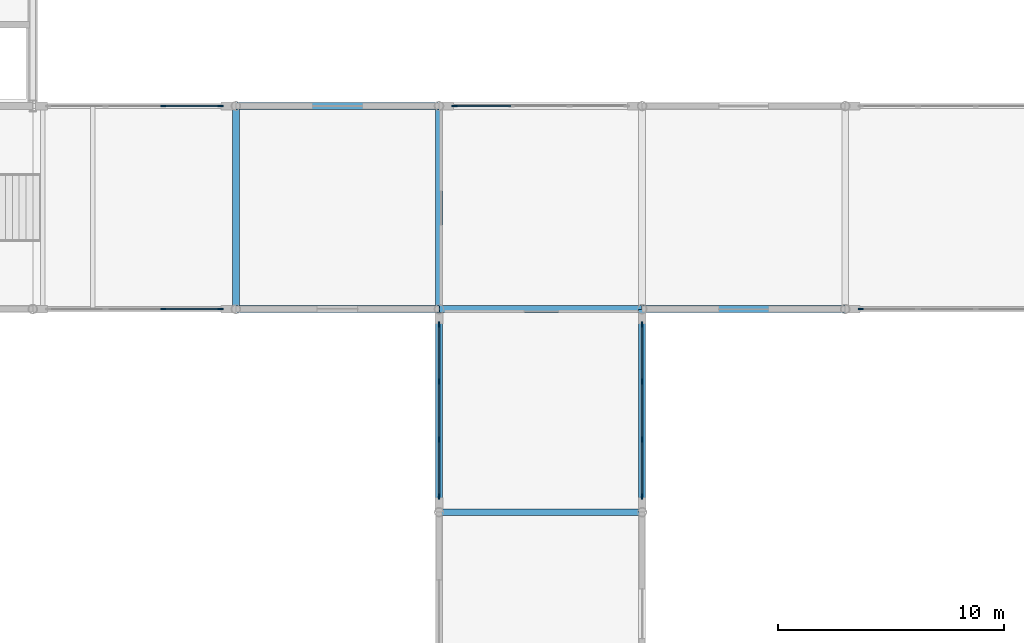
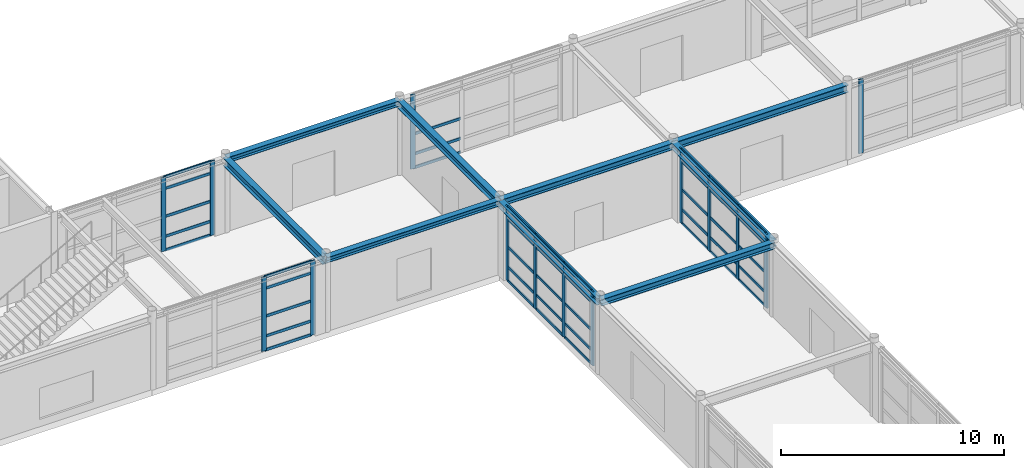
# One storey, part 33 of 72: 57 members, 9 beams, 6 elements without a shape of their own.
"""IFC4 building model written with IfcOpenShell, lengths in metres."""

from ifc_helpers import new_model, si_unit, direction, frame, origin, origin_2d, place, context, subcontext, project, spatial, rectangle, i_section, extrude, material, material_profile, profile_set, type_object, element, aggregate, save


model = new_model("IFC4")

# Units and contexts
model_context = context("Model", 3, precision=1e-05, world=origin(), true_north=direction((0.0, 1.0)))
body_context = subcontext(model_context, "Body", "Model", "MODEL_VIEW")
ifc_project = project(units=[si_unit("LENGTHUNIT", "METRE"), si_unit("AREAUNIT", "SQUARE_METRE"), si_unit("VOLUMEUNIT", "CUBIC_METRE"), si_unit("PLANEANGLEUNIT", "RADIAN"), si_unit("MASSUNIT", "GRAM", prefix="KILO")], contexts=[model_context])

# Site, building, storey
site_placement = place(None, origin())
site = spatial("IfcSite", under=ifc_project, at=site_placement, CompositionType="ELEMENT")
building_placement = place(site_placement, origin())
building = spatial("IfcBuilding", under=site, at=building_placement, Name="Palais des Congres Ocreval", CompositionType="ELEMENT")
storey_placement = place(building_placement, origin())
storey = spatial("IfcBuildingStorey", under=building, at=storey_placement, Name="L00", CompositionType="ELEMENT", Elevation=0.0)

# Curtain wall, members
ifc_material_1 = material(Name="Anodized bronze aluminium and low-E glass", Category="glass")
curtain_wall_type = type_object("IfcCurtainWallType", Name="Unitised Curtain Wall 7900x4060", PredefinedType="USERDEFINED", material=ifc_material_1)
curtain_wall_1_placement = place(storey_placement, origin())
curtain_wall_1 = element("IfcCurtainWall", 1, at=curtain_wall_1_placement, inside=storey, type_object=curtain_wall_type, Name="Unitised Curtain Wall CW01 L00", ObjectType="UNITISED CURTAIN WALL", PredefinedType="USERDEFINED")
ifc_material_2 = material(Name="Anodized bronze aluminium", Category="aluminium")
ifc_material_profile_1 = material_profile(ifc_material_2, rectangle(XDim=0.074951171875, YDim=0.239990234375, at=origin_2d()), Name="ALU 75x240")
ifc_profile_set_1 = profile_set([ifc_material_profile_1], Name="Anodized bronze aluminium")
member_type_1 = type_object("IfcMemberType", Name="Curtain Wall Mullion ALU 75x240", PredefinedType="MULLION", material=ifc_profile_set_1)
member_1_placement = place(storey_placement, frame((59.783203125, 81.0, 0.0), z_axis=(0.0, 0.0, 1.0), x_axis=(0.0, 1.0, 0.0)))
member_1 = element("IfcMember", 2, at=member_1_placement, type_object=member_type_1, Name="Curtain Wall Mullion ML01", PredefinedType="MULLION", context=body_context, shape_type="SweptSolid", body=[
    extrude(rectangle(XDim=0.074951171875, YDim=0.239990234375, at=origin_2d()), origin(), (0.0, 0.0, 1.0), 4.054931640625),
])
member_2_placement = place(storey_placement, frame((62.3125, 81.0, 0.0), z_axis=(0.0, 0.0, 1.0), x_axis=(0.0, 1.0, 0.0)))
member_2 = element("IfcMember", 3, at=member_2_placement, type_object=member_type_1, Name="Curtain Wall Mullion ML01", PredefinedType="MULLION", context=body_context, shape_type="SweptSolid", body=[
    extrude(rectangle(XDim=0.074951171875, YDim=0.239990234375, at=origin_2d()), origin(), (0.0, 0.0, 1.0), 4.054931640625),
])

# Curtain wall, member
curtain_wall_2_placement = place(storey_placement, origin())
curtain_wall_2 = element("IfcCurtainWall", 4, at=curtain_wall_2_placement, inside=storey, type_object=curtain_wall_type, Name="Unitised Curtain Wall CW01 L00", ObjectType="UNITISED CURTAIN WALL", PredefinedType="USERDEFINED")
member_3_placement = place(storey_placement, frame((72.6875, 81.0, 0.0), z_axis=(0.0, 0.0, 1.0), x_axis=(0.0, 1.0, 0.0)))
member_3 = element("IfcMember", 5, at=member_3_placement, type_object=member_type_1, Name="Curtain Wall Mullion ML01", PredefinedType="MULLION", context=body_context, shape_type="SweptSolid", body=[
    extrude(rectangle(XDim=0.074951171875, YDim=0.239990234375, at=origin_2d()), origin(), (0.0, 0.0, 1.0), 4.054931640625),
])

curtain_wall_3_placement = place(storey_placement, origin())
curtain_wall_3 = element("IfcCurtainWall", 6, at=curtain_wall_3_placement, inside=storey, type_object=curtain_wall_type, Name="Unitised Curtain Wall CW01 L00", ObjectType="UNITISED CURTAIN WALL", PredefinedType="USERDEFINED")
member_4_placement = place(storey_placement, frame((90.6875, 72.0, 0.0), z_axis=(0.0, 0.0, 1.0), x_axis=(0.0, -1.0, 0.0)))
member_4 = element("IfcMember", 7, at=member_4_placement, type_object=member_type_1, Name="Curtain Wall Mullion ML01", PredefinedType="MULLION", context=body_context, shape_type="SweptSolid", body=[
    extrude(rectangle(XDim=0.074951171875, YDim=0.239990234375, at=origin_2d()), origin(), (0.0, 0.0, 1.0), 4.054931640625),
])
aggregate(curtain_wall_3, [member_4])

# Curtain wall, members
curtain_wall_4_placement = place(storey_placement, origin())
curtain_wall_4 = element("IfcCurtainWall", 8, at=curtain_wall_4_placement, inside=storey, type_object=curtain_wall_type, Name="Unitised Curtain Wall CW01 L00", ObjectType="UNITISED CURTAIN WALL", PredefinedType="USERDEFINED")
member_5_placement = place(storey_placement, frame((81.0, 71.3125, 0.0), z_axis=(0.0, 0.0, 1.0), x_axis=(1.0, 0.0, 0.0)))
member_5 = element("IfcMember", 9, at=member_5_placement, type_object=member_type_1, Name="Curtain Wall Mullion ML01", PredefinedType="MULLION", context=body_context, shape_type="SweptSolid", body=[
    extrude(rectangle(XDim=0.074951171875, YDim=0.239990234375, at=origin_2d()), origin(), (0.0, 0.0, 1.0), 4.054931640625),
])
member_6_placement = place(storey_placement, frame((81.0, 68.783203125, 0.0), z_axis=(0.0, 0.0, 1.0), x_axis=(1.0, 0.0, 0.0)))
member_6 = element("IfcMember", 10, at=member_6_placement, type_object=member_type_1, Name="Curtain Wall Mullion ML01", PredefinedType="MULLION", context=body_context, shape_type="SweptSolid", body=[
    extrude(rectangle(XDim=0.074951171875, YDim=0.239990234375, at=origin_2d()), origin(), (0.0, 0.0, 1.0), 4.054931640625),
])
member_7_placement = place(storey_placement, frame((81.0, 66.216796875, 0.0), z_axis=(0.0, 0.0, 1.0), x_axis=(1.0, 0.0, 0.0)))
member_7 = element("IfcMember", 11, at=member_7_placement, type_object=member_type_1, Name="Curtain Wall Mullion ML01", PredefinedType="MULLION", context=body_context, shape_type="SweptSolid", body=[
    extrude(rectangle(XDim=0.074951171875, YDim=0.239990234375, at=origin_2d()), origin(), (0.0, 0.0, 1.0), 4.054931640625),
])
member_8_placement = place(storey_placement, frame((81.0, 63.6875, 0.0), z_axis=(0.0, 0.0, 1.0), x_axis=(1.0, 0.0, 0.0)))
member_8 = element("IfcMember", 12, at=member_8_placement, type_object=member_type_1, Name="Curtain Wall Mullion ML01", PredefinedType="MULLION", context=body_context, shape_type="SweptSolid", body=[
    extrude(rectangle(XDim=0.074951171875, YDim=0.239990234375, at=origin_2d()), origin(), (0.0, 0.0, 1.0), 4.054931640625),
])

curtain_wall_5_placement = place(storey_placement, origin())
curtain_wall_5 = element("IfcCurtainWall", 13, at=curtain_wall_5_placement, inside=storey, type_object=curtain_wall_type, Name="Unitised Curtain Wall CW01 L00", ObjectType="UNITISED CURTAIN WALL", PredefinedType="USERDEFINED")
member_9_placement = place(storey_placement, frame((72.0, 63.6875, 0.0), z_axis=(0.0, 0.0, 1.0), x_axis=(-1.0, 0.0, 0.0)))
member_9 = element("IfcMember", 14, at=member_9_placement, type_object=member_type_1, Name="Curtain Wall Mullion ML01", PredefinedType="MULLION", context=body_context, shape_type="SweptSolid", body=[
    extrude(rectangle(XDim=0.074951171875, YDim=0.239990234375, at=origin_2d()), origin(), (0.0, 0.0, 1.0), 4.054931640625),
])
member_10_placement = place(storey_placement, frame((72.0, 66.216796875, 0.0), z_axis=(0.0, 0.0, 1.0), x_axis=(-1.0, 0.0, 0.0)))
member_10 = element("IfcMember", 15, at=member_10_placement, type_object=member_type_1, Name="Curtain Wall Mullion ML01", PredefinedType="MULLION", context=body_context, shape_type="SweptSolid", body=[
    extrude(rectangle(XDim=0.074951171875, YDim=0.239990234375, at=origin_2d()), origin(), (0.0, 0.0, 1.0), 4.054931640625),
])
member_11_placement = place(storey_placement, frame((72.0, 68.783203125, 0.0), z_axis=(0.0, 0.0, 1.0), x_axis=(-1.0, 0.0, 0.0)))
member_11 = element("IfcMember", 16, at=member_11_placement, type_object=member_type_1, Name="Curtain Wall Mullion ML01", PredefinedType="MULLION", context=body_context, shape_type="SweptSolid", body=[
    extrude(rectangle(XDim=0.074951171875, YDim=0.239990234375, at=origin_2d()), origin(), (0.0, 0.0, 1.0), 4.054931640625),
])
member_12_placement = place(storey_placement, frame((72.0, 71.3125, 0.0), z_axis=(0.0, 0.0, 1.0), x_axis=(-1.0, 0.0, 0.0)))
member_12 = element("IfcMember", 17, at=member_12_placement, type_object=member_type_1, Name="Curtain Wall Mullion ML01", PredefinedType="MULLION", context=body_context, shape_type="SweptSolid", body=[
    extrude(rectangle(XDim=0.074951171875, YDim=0.239990234375, at=origin_2d()), origin(), (0.0, 0.0, 1.0), 4.054931640625),
])

curtain_wall_6_placement = place(storey_placement, origin())
curtain_wall_6 = element("IfcCurtainWall", 18, at=curtain_wall_6_placement, inside=storey, type_object=curtain_wall_type, Name="Unitised Curtain Wall CW01 L00", ObjectType="UNITISED CURTAIN WALL", PredefinedType="USERDEFINED")
member_13_placement = place(storey_placement, frame((62.3125, 72.0, 0.0), z_axis=(0.0, 0.0, 1.0), x_axis=(0.0, -1.0, 0.0)))
member_13 = element("IfcMember", 19, at=member_13_placement, type_object=member_type_1, Name="Curtain Wall Mullion ML01", PredefinedType="MULLION", context=body_context, shape_type="SweptSolid", body=[
    extrude(rectangle(XDim=0.074951171875, YDim=0.239990234375, at=origin_2d()), origin(), (0.0, 0.0, 1.0), 4.054931640625),
])
member_14_placement = place(storey_placement, frame((59.783203125, 72.0, 0.0), z_axis=(0.0, 0.0, 1.0), x_axis=(0.0, -1.0, 0.0)))
member_14 = element("IfcMember", 20, at=member_14_placement, type_object=member_type_1, Name="Curtain Wall Mullion ML01", PredefinedType="MULLION", context=body_context, shape_type="SweptSolid", body=[
    extrude(rectangle(XDim=0.074951171875, YDim=0.239990234375, at=origin_2d()), origin(), (0.0, 0.0, 1.0), 4.054931640625),
])

# Member
ifc_material_profile_2 = material_profile(ifc_material_2, rectangle(XDim=0.06005859375, YDim=0.14990234375, at=origin_2d()), Name="ALU 60x150")
ifc_profile_set_2 = profile_set([ifc_material_profile_2], Name="Anodized bronze aluminium")
member_type_2 = type_object("IfcMemberType", Name="Curtain Wall Transom ALU 60x150", PredefinedType="USERDEFINED", material=ifc_profile_set_2)
member_15_placement = place(storey_placement, frame((59.82080078125, 81.0, 0.030029296875), z_axis=(1.0, 0.0, 0.0), x_axis=(0.0, 1.0, 0.0)))
member_15 = element("IfcMember", 21, at=member_15_placement, type_object=member_type_2, Name="Curtain Wall Transom TR01", ObjectType="TRANSOM", PredefinedType="USERDEFINED", context=body_context, shape_type="SweptSolid", body=[
    extrude(rectangle(XDim=0.06005859375, YDim=0.14990234375, at=origin_2d()), origin(), (0.0, 0.0, 1.0), 2.4541015625),
])

member_16_placement = place(storey_placement, frame((59.82080078125, 81.0, 0.780029296875), z_axis=(1.0, 0.0, 0.0), x_axis=(0.0, 1.0, 0.0)))
member_16 = element("IfcMember", 22, at=member_16_placement, type_object=member_type_2, Name="Curtain Wall Transom TR01", ObjectType="TRANSOM", PredefinedType="USERDEFINED", context=body_context, shape_type="SweptSolid", body=[
    extrude(rectangle(XDim=0.06005859375, YDim=0.14990234375, at=origin_2d()), origin(), (0.0, 0.0, 1.0), 2.4541015625),
])

member_17_placement = place(storey_placement, frame((59.82080078125, 81.0, 1.872802734375), z_axis=(1.0, 0.0, 0.0), x_axis=(0.0, 1.0, 0.0)))
member_17 = element("IfcMember", 23, at=member_17_placement, type_object=member_type_2, Name="Curtain Wall Transom TR01", ObjectType="TRANSOM", PredefinedType="USERDEFINED", context=body_context, shape_type="SweptSolid", body=[
    extrude(rectangle(XDim=0.06005859375, YDim=0.14990234375, at=origin_2d()), origin(), (0.0, 0.0, 1.0), 2.4541015625),
])

member_18_placement = place(storey_placement, frame((59.82080078125, 81.0, 3.405029296875), z_axis=(1.0, 0.0, 0.0), x_axis=(0.0, 1.0, 0.0)))
member_18 = element("IfcMember", 24, at=member_18_placement, type_object=member_type_2, Name="Curtain Wall Transom TR01", ObjectType="TRANSOM", PredefinedType="USERDEFINED", context=body_context, shape_type="SweptSolid", body=[
    extrude(rectangle(XDim=0.06005859375, YDim=0.14990234375, at=origin_2d()), origin(), (0.0, 0.0, 1.0), 2.4541015625),
])

member_19_placement = place(storey_placement, frame((59.82080078125, 81.0, 4.02490234375), z_axis=(1.0, 0.0, 0.0), x_axis=(0.0, 1.0, 0.0)))
member_19 = element("IfcMember", 25, at=member_19_placement, type_object=member_type_2, Name="Curtain Wall Transom TR01", ObjectType="TRANSOM", PredefinedType="USERDEFINED", context=body_context, shape_type="SweptSolid", body=[
    extrude(rectangle(XDim=0.06005859375, YDim=0.14990234375, at=origin_2d()), origin(), (0.0, 0.0, 1.0), 2.4541015625),
])

aggregate(curtain_wall_1, [member_1, member_2, member_15, member_16, member_17, member_18, member_19])

member_20_placement = place(storey_placement, frame((72.72509765625, 81.0, 0.030029296875), z_axis=(1.0, 0.0, 0.0), x_axis=(0.0, 1.0, 0.0)))
member_20 = element("IfcMember", 26, at=member_20_placement, type_object=member_type_2, Name="Curtain Wall Transom TR01", ObjectType="TRANSOM", PredefinedType="USERDEFINED", context=body_context, shape_type="SweptSolid", body=[
    extrude(rectangle(XDim=0.06005859375, YDim=0.14990234375, at=origin_2d()), origin(), (0.0, 0.0, 1.0), 2.4541015625),
])

member_21_placement = place(storey_placement, frame((72.72509765625, 81.0, 0.780029296875), z_axis=(1.0, 0.0, 0.0), x_axis=(0.0, 1.0, 0.0)))
member_21 = element("IfcMember", 27, at=member_21_placement, type_object=member_type_2, Name="Curtain Wall Transom TR01", ObjectType="TRANSOM", PredefinedType="USERDEFINED", context=body_context, shape_type="SweptSolid", body=[
    extrude(rectangle(XDim=0.06005859375, YDim=0.14990234375, at=origin_2d()), origin(), (0.0, 0.0, 1.0), 2.4541015625),
])

member_22_placement = place(storey_placement, frame((72.72509765625, 81.0, 1.872802734375), z_axis=(1.0, 0.0, 0.0), x_axis=(0.0, 1.0, 0.0)))
member_22 = element("IfcMember", 28, at=member_22_placement, type_object=member_type_2, Name="Curtain Wall Transom TR01", ObjectType="TRANSOM", PredefinedType="USERDEFINED", context=body_context, shape_type="SweptSolid", body=[
    extrude(rectangle(XDim=0.06005859375, YDim=0.14990234375, at=origin_2d()), origin(), (0.0, 0.0, 1.0), 2.4541015625),
])

aggregate(curtain_wall_2, [member_3, member_20, member_21, member_22])

member_23_placement = place(storey_placement, frame((81.0, 71.27490234375, 0.030029296875), z_axis=(0.0, -1.0, 0.0), x_axis=(1.0, 0.0, 0.0)))
member_23 = element("IfcMember", 29, at=member_23_placement, type_object=member_type_2, Name="Curtain Wall Transom TR01", ObjectType="TRANSOM", PredefinedType="USERDEFINED", context=body_context, shape_type="SweptSolid", body=[
    extrude(rectangle(XDim=0.06005859375, YDim=0.14990234375, at=origin_2d()), origin(), (0.0, 0.0, 1.0), 2.4541015625),
])

member_24_placement = place(storey_placement, frame((81.0, 71.27490234375, 0.780029296875), z_axis=(0.0, -1.0, 0.0), x_axis=(1.0, 0.0, 0.0)))
member_24 = element("IfcMember", 30, at=member_24_placement, type_object=member_type_2, Name="Curtain Wall Transom TR01", ObjectType="TRANSOM", PredefinedType="USERDEFINED", context=body_context, shape_type="SweptSolid", body=[
    extrude(rectangle(XDim=0.06005859375, YDim=0.14990234375, at=origin_2d()), origin(), (0.0, 0.0, 1.0), 2.4541015625),
])

member_25_placement = place(storey_placement, frame((81.0, 71.27490234375, 1.872802734375), z_axis=(0.0, -1.0, 0.0), x_axis=(1.0, 0.0, 0.0)))
member_25 = element("IfcMember", 31, at=member_25_placement, type_object=member_type_2, Name="Curtain Wall Transom TR01", ObjectType="TRANSOM", PredefinedType="USERDEFINED", context=body_context, shape_type="SweptSolid", body=[
    extrude(rectangle(XDim=0.06005859375, YDim=0.14990234375, at=origin_2d()), origin(), (0.0, 0.0, 1.0), 2.4541015625),
])

member_26_placement = place(storey_placement, frame((81.0, 71.27490234375, 3.405029296875), z_axis=(0.0, -1.0, 0.0), x_axis=(1.0, 0.0, 0.0)))
member_26 = element("IfcMember", 32, at=member_26_placement, type_object=member_type_2, Name="Curtain Wall Transom TR01", ObjectType="TRANSOM", PredefinedType="USERDEFINED", context=body_context, shape_type="SweptSolid", body=[
    extrude(rectangle(XDim=0.06005859375, YDim=0.14990234375, at=origin_2d()), origin(), (0.0, 0.0, 1.0), 2.4541015625),
])

member_27_placement = place(storey_placement, frame((81.0, 71.27490234375, 4.02490234375), z_axis=(0.0, -1.0, 0.0), x_axis=(1.0, 0.0, 0.0)))
member_27 = element("IfcMember", 33, at=member_27_placement, type_object=member_type_2, Name="Curtain Wall Transom TR01", ObjectType="TRANSOM", PredefinedType="USERDEFINED", context=body_context, shape_type="SweptSolid", body=[
    extrude(rectangle(XDim=0.06005859375, YDim=0.14990234375, at=origin_2d()), origin(), (0.0, 0.0, 1.0), 2.4541015625),
])

member_28_placement = place(storey_placement, frame((81.0, 68.745849609375, 0.030029296875), z_axis=(0.0, -1.0, 0.0), x_axis=(1.0, 0.0, 0.0)))
member_28 = element("IfcMember", 34, at=member_28_placement, type_object=member_type_2, Name="Curtain Wall Transom TR01", ObjectType="TRANSOM", PredefinedType="USERDEFINED", context=body_context, shape_type="SweptSolid", body=[
    extrude(rectangle(XDim=0.06005859375, YDim=0.14990234375, at=origin_2d()), origin(), (0.0, 0.0, 1.0), 2.49169921875),
])

member_29_placement = place(storey_placement, frame((81.0, 68.745849609375, 0.780029296875), z_axis=(0.0, -1.0, 0.0), x_axis=(1.0, 0.0, 0.0)))
member_29 = element("IfcMember", 35, at=member_29_placement, type_object=member_type_2, Name="Curtain Wall Transom TR01", ObjectType="TRANSOM", PredefinedType="USERDEFINED", context=body_context, shape_type="SweptSolid", body=[
    extrude(rectangle(XDim=0.06005859375, YDim=0.14990234375, at=origin_2d()), origin(), (0.0, 0.0, 1.0), 2.49169921875),
])

member_30_placement = place(storey_placement, frame((81.0, 68.745849609375, 1.872802734375), z_axis=(0.0, -1.0, 0.0), x_axis=(1.0, 0.0, 0.0)))
member_30 = element("IfcMember", 36, at=member_30_placement, type_object=member_type_2, Name="Curtain Wall Transom TR01", ObjectType="TRANSOM", PredefinedType="USERDEFINED", context=body_context, shape_type="SweptSolid", body=[
    extrude(rectangle(XDim=0.06005859375, YDim=0.14990234375, at=origin_2d()), origin(), (0.0, 0.0, 1.0), 2.49169921875),
])

member_31_placement = place(storey_placement, frame((81.0, 68.745849609375, 3.405029296875), z_axis=(0.0, -1.0, 0.0), x_axis=(1.0, 0.0, 0.0)))
member_31 = element("IfcMember", 37, at=member_31_placement, type_object=member_type_2, Name="Curtain Wall Transom TR01", ObjectType="TRANSOM", PredefinedType="USERDEFINED", context=body_context, shape_type="SweptSolid", body=[
    extrude(rectangle(XDim=0.06005859375, YDim=0.14990234375, at=origin_2d()), origin(), (0.0, 0.0, 1.0), 2.49169921875),
])

member_32_placement = place(storey_placement, frame((81.0, 68.745849609375, 4.02490234375), z_axis=(0.0, -1.0, 0.0), x_axis=(1.0, 0.0, 0.0)))
member_32 = element("IfcMember", 38, at=member_32_placement, type_object=member_type_2, Name="Curtain Wall Transom TR01", ObjectType="TRANSOM", PredefinedType="USERDEFINED", context=body_context, shape_type="SweptSolid", body=[
    extrude(rectangle(XDim=0.06005859375, YDim=0.14990234375, at=origin_2d()), origin(), (0.0, 0.0, 1.0), 2.49169921875),
])

member_33_placement = place(storey_placement, frame((81.0, 66.17919921875, 0.030029296875), z_axis=(0.0, -1.0, 0.0), x_axis=(1.0, 0.0, 0.0)))
member_33 = element("IfcMember", 39, at=member_33_placement, type_object=member_type_2, Name="Curtain Wall Transom TR01", ObjectType="TRANSOM", PredefinedType="USERDEFINED", context=body_context, shape_type="SweptSolid", body=[
    extrude(rectangle(XDim=0.06005859375, YDim=0.14990234375, at=origin_2d()), origin(), (0.0, 0.0, 1.0), 2.4541015625),
])

member_34_placement = place(storey_placement, frame((81.0, 66.17919921875, 0.780029296875), z_axis=(0.0, -1.0, 0.0), x_axis=(1.0, 0.0, 0.0)))
member_34 = element("IfcMember", 40, at=member_34_placement, type_object=member_type_2, Name="Curtain Wall Transom TR01", ObjectType="TRANSOM", PredefinedType="USERDEFINED", context=body_context, shape_type="SweptSolid", body=[
    extrude(rectangle(XDim=0.06005859375, YDim=0.14990234375, at=origin_2d()), origin(), (0.0, 0.0, 1.0), 2.4541015625),
])

member_35_placement = place(storey_placement, frame((81.0, 66.17919921875, 1.872802734375), z_axis=(0.0, -1.0, 0.0), x_axis=(1.0, 0.0, 0.0)))
member_35 = element("IfcMember", 41, at=member_35_placement, type_object=member_type_2, Name="Curtain Wall Transom TR01", ObjectType="TRANSOM", PredefinedType="USERDEFINED", context=body_context, shape_type="SweptSolid", body=[
    extrude(rectangle(XDim=0.06005859375, YDim=0.14990234375, at=origin_2d()), origin(), (0.0, 0.0, 1.0), 2.4541015625),
])

member_36_placement = place(storey_placement, frame((81.0, 66.17919921875, 3.405029296875), z_axis=(0.0, -1.0, 0.0), x_axis=(1.0, 0.0, 0.0)))
member_36 = element("IfcMember", 42, at=member_36_placement, type_object=member_type_2, Name="Curtain Wall Transom TR01", ObjectType="TRANSOM", PredefinedType="USERDEFINED", context=body_context, shape_type="SweptSolid", body=[
    extrude(rectangle(XDim=0.06005859375, YDim=0.14990234375, at=origin_2d()), origin(), (0.0, 0.0, 1.0), 2.4541015625),
])

member_37_placement = place(storey_placement, frame((81.0, 66.17919921875, 4.02490234375), z_axis=(0.0, -1.0, 0.0), x_axis=(1.0, 0.0, 0.0)))
member_37 = element("IfcMember", 43, at=member_37_placement, type_object=member_type_2, Name="Curtain Wall Transom TR01", ObjectType="TRANSOM", PredefinedType="USERDEFINED", context=body_context, shape_type="SweptSolid", body=[
    extrude(rectangle(XDim=0.06005859375, YDim=0.14990234375, at=origin_2d()), origin(), (0.0, 0.0, 1.0), 2.4541015625),
])

aggregate(curtain_wall_4, [member_5, member_6, member_7, member_8, member_23, member_24, member_25, member_26, member_27, member_28, member_29, member_30, member_31, member_32, member_33, member_34, member_35, member_36, member_37])

member_38_placement = place(storey_placement, frame((72.0, 63.72509765625, 0.030029296875), z_axis=(0.0, 1.0, 0.0), x_axis=(-1.0, 0.0, 0.0)))
member_38 = element("IfcMember", 44, at=member_38_placement, type_object=member_type_2, Name="Curtain Wall Transom TR01", ObjectType="TRANSOM", PredefinedType="USERDEFINED", context=body_context, shape_type="SweptSolid", body=[
    extrude(rectangle(XDim=0.06005859375, YDim=0.14990234375, at=origin_2d()), origin(), (0.0, 0.0, 1.0), 2.4541015625),
])

member_39_placement = place(storey_placement, frame((72.0, 63.72509765625, 0.780029296875), z_axis=(0.0, 1.0, 0.0), x_axis=(-1.0, 0.0, 0.0)))
member_39 = element("IfcMember", 45, at=member_39_placement, type_object=member_type_2, Name="Curtain Wall Transom TR01", ObjectType="TRANSOM", PredefinedType="USERDEFINED", context=body_context, shape_type="SweptSolid", body=[
    extrude(rectangle(XDim=0.06005859375, YDim=0.14990234375, at=origin_2d()), origin(), (0.0, 0.0, 1.0), 2.4541015625),
])

member_40_placement = place(storey_placement, frame((72.0, 63.72509765625, 1.872802734375), z_axis=(0.0, 1.0, 0.0), x_axis=(-1.0, 0.0, 0.0)))
member_40 = element("IfcMember", 46, at=member_40_placement, type_object=member_type_2, Name="Curtain Wall Transom TR01", ObjectType="TRANSOM", PredefinedType="USERDEFINED", context=body_context, shape_type="SweptSolid", body=[
    extrude(rectangle(XDim=0.06005859375, YDim=0.14990234375, at=origin_2d()), origin(), (0.0, 0.0, 1.0), 2.4541015625),
])

member_41_placement = place(storey_placement, frame((72.0, 63.72509765625, 3.405029296875), z_axis=(0.0, 1.0, 0.0), x_axis=(-1.0, 0.0, 0.0)))
member_41 = element("IfcMember", 47, at=member_41_placement, type_object=member_type_2, Name="Curtain Wall Transom TR01", ObjectType="TRANSOM", PredefinedType="USERDEFINED", context=body_context, shape_type="SweptSolid", body=[
    extrude(rectangle(XDim=0.06005859375, YDim=0.14990234375, at=origin_2d()), origin(), (0.0, 0.0, 1.0), 2.4541015625),
])

member_42_placement = place(storey_placement, frame((72.0, 63.72509765625, 4.02490234375), z_axis=(0.0, 1.0, 0.0), x_axis=(-1.0, 0.0, 0.0)))
member_42 = element("IfcMember", 48, at=member_42_placement, type_object=member_type_2, Name="Curtain Wall Transom TR01", ObjectType="TRANSOM", PredefinedType="USERDEFINED", context=body_context, shape_type="SweptSolid", body=[
    extrude(rectangle(XDim=0.06005859375, YDim=0.14990234375, at=origin_2d()), origin(), (0.0, 0.0, 1.0), 2.4541015625),
])

member_43_placement = place(storey_placement, frame((72.0, 66.254150390625, 0.030029296875), z_axis=(0.0, 1.0, 0.0), x_axis=(-1.0, 0.0, 0.0)))
member_43 = element("IfcMember", 49, at=member_43_placement, type_object=member_type_2, Name="Curtain Wall Transom TR01", ObjectType="TRANSOM", PredefinedType="USERDEFINED", context=body_context, shape_type="SweptSolid", body=[
    extrude(rectangle(XDim=0.06005859375, YDim=0.14990234375, at=origin_2d()), origin(), (0.0, 0.0, 1.0), 2.49169921875),
])

member_44_placement = place(storey_placement, frame((72.0, 66.254150390625, 0.780029296875), z_axis=(0.0, 1.0, 0.0), x_axis=(-1.0, 0.0, 0.0)))
member_44 = element("IfcMember", 50, at=member_44_placement, type_object=member_type_2, Name="Curtain Wall Transom TR01", ObjectType="TRANSOM", PredefinedType="USERDEFINED", context=body_context, shape_type="SweptSolid", body=[
    extrude(rectangle(XDim=0.06005859375, YDim=0.14990234375, at=origin_2d()), origin(), (0.0, 0.0, 1.0), 2.49169921875),
])

member_45_placement = place(storey_placement, frame((72.0, 66.254150390625, 1.872802734375), z_axis=(0.0, 1.0, 0.0), x_axis=(-1.0, 0.0, 0.0)))
member_45 = element("IfcMember", 51, at=member_45_placement, type_object=member_type_2, Name="Curtain Wall Transom TR01", ObjectType="TRANSOM", PredefinedType="USERDEFINED", context=body_context, shape_type="SweptSolid", body=[
    extrude(rectangle(XDim=0.06005859375, YDim=0.14990234375, at=origin_2d()), origin(), (0.0, 0.0, 1.0), 2.49169921875),
])

member_46_placement = place(storey_placement, frame((72.0, 66.254150390625, 3.405029296875), z_axis=(0.0, 1.0, 0.0), x_axis=(-1.0, 0.0, 0.0)))
member_46 = element("IfcMember", 52, at=member_46_placement, type_object=member_type_2, Name="Curtain Wall Transom TR01", ObjectType="TRANSOM", PredefinedType="USERDEFINED", context=body_context, shape_type="SweptSolid", body=[
    extrude(rectangle(XDim=0.06005859375, YDim=0.14990234375, at=origin_2d()), origin(), (0.0, 0.0, 1.0), 2.49169921875),
])

member_47_placement = place(storey_placement, frame((72.0, 66.254150390625, 4.02490234375), z_axis=(0.0, 1.0, 0.0), x_axis=(-1.0, 0.0, 0.0)))
member_47 = element("IfcMember", 53, at=member_47_placement, type_object=member_type_2, Name="Curtain Wall Transom TR01", ObjectType="TRANSOM", PredefinedType="USERDEFINED", context=body_context, shape_type="SweptSolid", body=[
    extrude(rectangle(XDim=0.06005859375, YDim=0.14990234375, at=origin_2d()), origin(), (0.0, 0.0, 1.0), 2.49169921875),
])

member_48_placement = place(storey_placement, frame((72.0, 68.82080078125, 0.030029296875), z_axis=(0.0, 1.0, 0.0), x_axis=(-1.0, 0.0, 0.0)))
member_48 = element("IfcMember", 54, at=member_48_placement, type_object=member_type_2, Name="Curtain Wall Transom TR01", ObjectType="TRANSOM", PredefinedType="USERDEFINED", context=body_context, shape_type="SweptSolid", body=[
    extrude(rectangle(XDim=0.06005859375, YDim=0.14990234375, at=origin_2d()), origin(), (0.0, 0.0, 1.0), 2.4541015625),
])

member_49_placement = place(storey_placement, frame((72.0, 68.82080078125, 0.780029296875), z_axis=(0.0, 1.0, 0.0), x_axis=(-1.0, 0.0, 0.0)))
member_49 = element("IfcMember", 55, at=member_49_placement, type_object=member_type_2, Name="Curtain Wall Transom TR01", ObjectType="TRANSOM", PredefinedType="USERDEFINED", context=body_context, shape_type="SweptSolid", body=[
    extrude(rectangle(XDim=0.06005859375, YDim=0.14990234375, at=origin_2d()), origin(), (0.0, 0.0, 1.0), 2.4541015625),
])

member_50_placement = place(storey_placement, frame((72.0, 68.82080078125, 1.872802734375), z_axis=(0.0, 1.0, 0.0), x_axis=(-1.0, 0.0, 0.0)))
member_50 = element("IfcMember", 56, at=member_50_placement, type_object=member_type_2, Name="Curtain Wall Transom TR01", ObjectType="TRANSOM", PredefinedType="USERDEFINED", context=body_context, shape_type="SweptSolid", body=[
    extrude(rectangle(XDim=0.06005859375, YDim=0.14990234375, at=origin_2d()), origin(), (0.0, 0.0, 1.0), 2.4541015625),
])

member_51_placement = place(storey_placement, frame((72.0, 68.82080078125, 3.405029296875), z_axis=(0.0, 1.0, 0.0), x_axis=(-1.0, 0.0, 0.0)))
member_51 = element("IfcMember", 57, at=member_51_placement, type_object=member_type_2, Name="Curtain Wall Transom TR01", ObjectType="TRANSOM", PredefinedType="USERDEFINED", context=body_context, shape_type="SweptSolid", body=[
    extrude(rectangle(XDim=0.06005859375, YDim=0.14990234375, at=origin_2d()), origin(), (0.0, 0.0, 1.0), 2.4541015625),
])

member_52_placement = place(storey_placement, frame((72.0, 68.82080078125, 4.02490234375), z_axis=(0.0, 1.0, 0.0), x_axis=(-1.0, 0.0, 0.0)))
member_52 = element("IfcMember", 58, at=member_52_placement, type_object=member_type_2, Name="Curtain Wall Transom TR01", ObjectType="TRANSOM", PredefinedType="USERDEFINED", context=body_context, shape_type="SweptSolid", body=[
    extrude(rectangle(XDim=0.06005859375, YDim=0.14990234375, at=origin_2d()), origin(), (0.0, 0.0, 1.0), 2.4541015625),
])

aggregate(curtain_wall_5, [member_9, member_10, member_11, member_12, member_38, member_39, member_40, member_41, member_42, member_43, member_44, member_45, member_46, member_47, member_48, member_49, member_50, member_51, member_52])

member_53_placement = place(storey_placement, frame((62.27490234375, 72.0, 0.030029296875), z_axis=(-1.0, 0.0, 0.0), x_axis=(0.0, -1.0, 0.0)))
member_53 = element("IfcMember", 59, at=member_53_placement, type_object=member_type_2, Name="Curtain Wall Transom TR01", ObjectType="TRANSOM", PredefinedType="USERDEFINED", context=body_context, shape_type="SweptSolid", body=[
    extrude(rectangle(XDim=0.06005859375, YDim=0.14990234375, at=origin_2d()), origin(), (0.0, 0.0, 1.0), 2.4541015625),
])

member_54_placement = place(storey_placement, frame((62.27490234375, 72.0, 0.780029296875), z_axis=(-1.0, 0.0, 0.0), x_axis=(0.0, -1.0, 0.0)))
member_54 = element("IfcMember", 60, at=member_54_placement, type_object=member_type_2, Name="Curtain Wall Transom TR01", ObjectType="TRANSOM", PredefinedType="USERDEFINED", context=body_context, shape_type="SweptSolid", body=[
    extrude(rectangle(XDim=0.06005859375, YDim=0.14990234375, at=origin_2d()), origin(), (0.0, 0.0, 1.0), 2.4541015625),
])

member_55_placement = place(storey_placement, frame((62.27490234375, 72.0, 1.872802734375), z_axis=(-1.0, 0.0, 0.0), x_axis=(0.0, -1.0, 0.0)))
member_55 = element("IfcMember", 61, at=member_55_placement, type_object=member_type_2, Name="Curtain Wall Transom TR01", ObjectType="TRANSOM", PredefinedType="USERDEFINED", context=body_context, shape_type="SweptSolid", body=[
    extrude(rectangle(XDim=0.06005859375, YDim=0.14990234375, at=origin_2d()), origin(), (0.0, 0.0, 1.0), 2.4541015625),
])

member_56_placement = place(storey_placement, frame((62.27490234375, 72.0, 3.405029296875), z_axis=(-1.0, 0.0, 0.0), x_axis=(0.0, -1.0, 0.0)))
member_56 = element("IfcMember", 62, at=member_56_placement, type_object=member_type_2, Name="Curtain Wall Transom TR01", ObjectType="TRANSOM", PredefinedType="USERDEFINED", context=body_context, shape_type="SweptSolid", body=[
    extrude(rectangle(XDim=0.06005859375, YDim=0.14990234375, at=origin_2d()), origin(), (0.0, 0.0, 1.0), 2.4541015625),
])

member_57_placement = place(storey_placement, frame((62.27490234375, 72.0, 4.02490234375), z_axis=(-1.0, 0.0, 0.0), x_axis=(0.0, -1.0, 0.0)))
member_57 = element("IfcMember", 63, at=member_57_placement, type_object=member_type_2, Name="Curtain Wall Transom TR01", ObjectType="TRANSOM", PredefinedType="USERDEFINED", context=body_context, shape_type="SweptSolid", body=[
    extrude(rectangle(XDim=0.06005859375, YDim=0.14990234375, at=origin_2d()), origin(), (0.0, 0.0, 1.0), 2.4541015625),
])

aggregate(curtain_wall_6, [member_13, member_14, member_53, member_54, member_55, member_56, member_57])

# Beams
ifc_material_3 = material(Name="Steel S355", Category="steel")
ifc_material_profile_3 = material_profile(ifc_material_3, i_section(OverallWidth=0.300048828125, OverallDepth=0.300048828125, WebThickness=0.010986328125, FlangeThickness=0.01904296875, at=origin_2d()), Name="HEB 300")
ifc_profile_set_3 = profile_set([ifc_material_profile_3], Name="Steel S355")
beam_type_1 = type_object("IfcBeamType", Name="Perimeter Spandrel HEB 300 Steel S355", PredefinedType="SPANDREL", material=ifc_profile_set_3)
for number, where, z_axis, x_axis, name in (
    (64, (63.02001953125, 72.0, 3.905029296875), (1.0, 0.0, 0.0), (0.0, 1.0, 0.0), "Beam SP02 L00"),
    (65, (63.02001953125, 81.0, 3.905029296875), (1.0, 0.0, 0.0), (0.0, 1.0, 0.0), "Beam SP02 L00"),
):
    element("IfcBeam", number, at=place(storey_placement, frame(where, z_axis=z_axis, x_axis=x_axis)), inside=storey, type_object=beam_type_1, Name=name, PredefinedType="SPANDREL", context=body_context, shape_type="SweptSolid", body=[
        extrude(i_section(OverallWidth=0.300048828125, OverallDepth=0.300048828125, WebThickness=0.010986328125, FlangeThickness=0.01904296875, at=origin_2d()), origin(), (0.0, 0.0, 1.0), 8.9599609375),
    ])
ifc_material_profile_4 = material_profile(ifc_material_3, i_section(OverallWidth=0.300048828125, OverallDepth=0.360107421875, WebThickness=0.012451171875, FlangeThickness=0.0224609375, at=origin_2d()), Name="HEB 360")
ifc_profile_set_4 = profile_set([ifc_material_profile_4], Name="Steel S355")
beam_type_2 = type_object("IfcBeamType", Name="Perimeter Spandrel HEB 360 Steel S355", PredefinedType="SPANDREL", material=ifc_profile_set_4)
for number, where, z_axis, x_axis, name in (
    (66, (72.02001953125, 63.0, 3.875), (1.0, 0.0, 0.0), (0.0, 1.0, 0.0), "Beam SP03 L00"),
    (67, (72.0, 63.02001953125, 3.875), (0.0, 1.0, 0.0), (-1.0, 0.0, 0.0), "Girder SP03 L00"),
    (68, (72.02001953125, 72.0, 3.875), (1.0, 0.0, 0.0), (0.0, 1.0, 0.0), "Beam SP03 L00"),
    (69, (81.0, 63.02001953125, 3.875), (0.0, 1.0, 0.0), (-1.0, 0.0, 0.0), "Girder SP03 L00"),
):
    element("IfcBeam", number, at=place(storey_placement, frame(where, z_axis=z_axis, x_axis=x_axis)), inside=storey, type_object=beam_type_2, Name=name, PredefinedType="SPANDREL", context=body_context, shape_type="SweptSolid", body=[
        extrude(i_section(OverallWidth=0.300048828125, OverallDepth=0.360107421875, WebThickness=0.012451171875, FlangeThickness=0.0224609375, at=origin_2d()), origin(), (0.0, 0.0, 1.0), 8.9599609375),
    ])
ifc_material_profile_5 = material_profile(ifc_material_3, i_section(OverallWidth=0.300048828125, OverallDepth=0.39990234375, WebThickness=0.013427734375, FlangeThickness=0.02392578125, at=origin_2d()), Name="HEB 400")
ifc_profile_set_5 = profile_set([ifc_material_profile_5], Name="Steel S355")
beam_type_3 = type_object("IfcBeamType", Name="Perimeter Spandrel HEB 400 Steel S355", PredefinedType="SPANDREL", material=ifc_profile_set_5)
for number, where, z_axis, x_axis, name in (
    (70, (72.0, 72.02001953125, 3.85498046875), (0.0, 1.0, 0.0), (-1.0, 0.0, 0.0), "Girder SP04 L00"),
    (71, (81.02001953125, 72.0, 3.85498046875), (1.0, 0.0, 0.0), (0.0, 1.0, 0.0), "Beam SP04 L00"),
):
    element("IfcBeam", number, at=place(storey_placement, frame(where, z_axis=z_axis, x_axis=x_axis)), inside=storey, type_object=beam_type_3, Name=name, PredefinedType="SPANDREL", context=body_context, shape_type="SweptSolid", body=[
        extrude(i_section(OverallWidth=0.300048828125, OverallDepth=0.39990234375, WebThickness=0.013427734375, FlangeThickness=0.02392578125, at=origin_2d()), origin(), (0.0, 0.0, 1.0), 8.9599609375),
    ])
ifc_material_profile_6 = material_profile(ifc_material_3, i_section(OverallWidth=0.300048828125, OverallDepth=0.43994140625, WebThickness=0.011474609375, FlangeThickness=0.02099609375, at=origin_2d()), Name="HEA 450")
ifc_profile_set_6 = profile_set([ifc_material_profile_6], Name="Steel S355")
beam_type_4 = type_object("IfcBeamType", Name="Primary Beam HEA 450 Steel S355", PredefinedType="BEAM", material=ifc_profile_set_6)
beam_placement = place(storey_placement, frame((63.0, 72.02001953125, 3.8349609375), z_axis=(0.0, 1.0, 0.0), x_axis=(-1.0, 0.0, 0.0)))
element("IfcBeam", 72, at=beam_placement, inside=storey, type_object=beam_type_4, Name="Girder B11 L00", PredefinedType="BEAM", context=body_context, shape_type="SweptSolid", body=[
    extrude(i_section(OverallWidth=0.300048828125, OverallDepth=0.43994140625, WebThickness=0.011474609375, FlangeThickness=0.02099609375, at=origin_2d()), origin(), (0.0, 0.0, 1.0), 8.9599609375),
])

save(model, "model.ifc")
